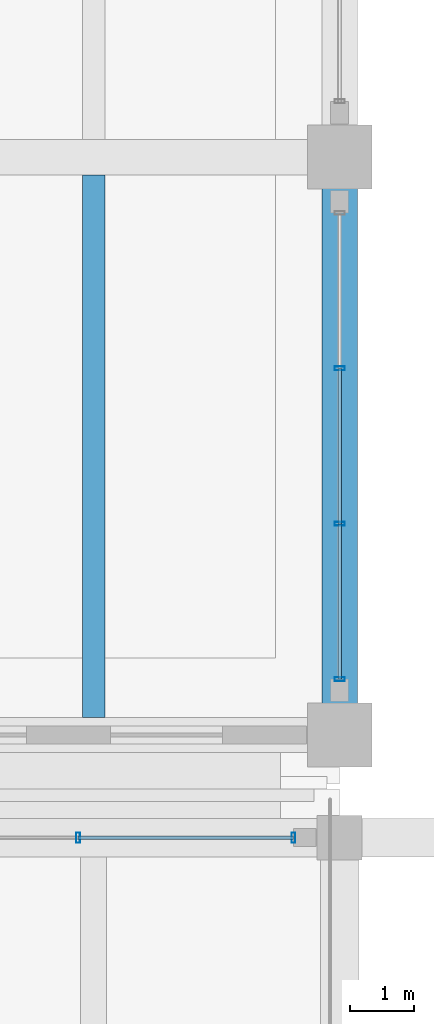
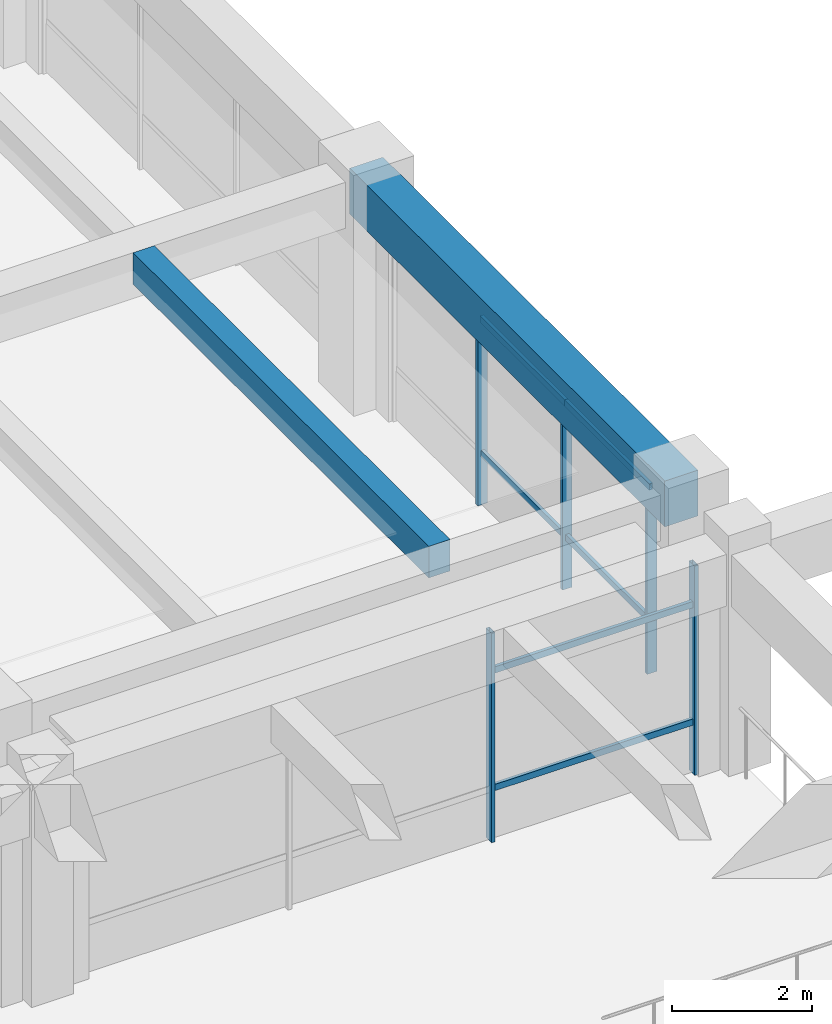
# One storey, part 31 of 98: 11 members, 2 beams, 2 elements without a shape of their own.
"""IFC4 building model written with IfcOpenShell, lengths in metres."""

from ifc_helpers import new_model, si_unit, direction, frame, origin, origin_2d, place, context, subcontext, project, spatial, rectangle, hollow_rectangle, extrude, material, material_profile, profile_set, type_object, element, aggregate, save


model = new_model("IFC4")

# Units and contexts
model_context = context("Model", 3, precision=1e-05, world=origin(), true_north=direction((0.0, 1.0)))
body_context = subcontext(model_context, "Body", "Model", "MODEL_VIEW")
ifc_project = project(units=[si_unit("LENGTHUNIT", "METRE"), si_unit("AREAUNIT", "SQUARE_METRE"), si_unit("VOLUMEUNIT", "CUBIC_METRE"), si_unit("PLANEANGLEUNIT", "RADIAN"), si_unit("MASSUNIT", "GRAM", prefix="KILO")], contexts=[model_context])

# Site, building, storey
site_placement = place(None, origin())
site = spatial("IfcSite", under=ifc_project, at=site_placement, CompositionType="ELEMENT")
building_placement = place(site_placement, origin())
building = spatial("IfcBuilding", under=site, at=building_placement, Name="Ologun Quay Terminus", CompositionType="ELEMENT")
storey_placement = place(building_placement, frame((0.0, 0.0, 4.199951171875)))
storey = spatial("IfcBuildingStorey", under=building, at=storey_placement, Name="L01", CompositionType="ELEMENT", Elevation=4.199951171875)

# Curtain wall, members
ifc_material_1 = material(Name="Aluminium 6063-T6", Category="aluminium")
curtain_wall_type_1 = type_object("IfcCurtainWallType", Name="Forecourt Mezzanine Curtain Wall 10700x3850", PredefinedType="USERDEFINED", material=ifc_material_1)
curtain_wall_1_placement = place(storey_placement, origin())
curtain_wall_1 = element("IfcCurtainWall", 1, at=curtain_wall_1_placement, inside=storey, type_object=curtain_wall_type_1, Name="CW-04 Curtain Wall CW-L01-089", ObjectType="UNITISED CURTAIN WALL", PredefinedType="USERDEFINED")
ifc_material_2 = material(Name="Aluminium 6063-T6", Category="aluminium")
ifc_material_profile_1 = material_profile(ifc_material_2, hollow_rectangle(XDim=0.06005859375, YDim=0.159912109375, WallThickness=0.00390625, at=origin_2d()), Name="ALU 160x60x4")
ifc_profile_set_1 = profile_set([ifc_material_profile_1], Name="Aluminium 6063-T6")
member_type_1 = type_object("IfcMemberType", Name="Courtyard Screen Mullion 160x65", PredefinedType="MULLION", material=ifc_profile_set_1)
member_1_placement = place(storey_placement, frame((64.9267578125, 84.199951171875, 0.0), z_axis=(0.0, 0.0, 1.0), x_axis=(1.0, 0.0, 0.0)))
member_1 = element("IfcMember", 2, at=member_1_placement, type_object=member_type_1, Name="CW-L01-089 Mullion 3", PredefinedType="MULLION", context=body_context, shape_type="SweptSolid", body=[
    extrude(hollow_rectangle(XDim=0.06005859375, YDim=0.159912109375, WallThickness=0.00390625, at=origin_2d()), origin(), (0.0, 0.0, 1.0), 3.650146484375),
])
member_2_placement = place(storey_placement, frame((68.280029296875, 84.199951171875, 0.0), z_axis=(0.0, 0.0, 1.0), x_axis=(1.0, 0.0, 0.0)))
member_2 = element("IfcMember", 3, at=member_2_placement, type_object=member_type_1, Name="CW-L01-089 Mullion 4", PredefinedType="MULLION", context=body_context, shape_type="SweptSolid", body=[
    extrude(hollow_rectangle(XDim=0.06005859375, YDim=0.159912109375, WallThickness=0.00390625, at=origin_2d()), origin(), (0.0, 0.0, 1.0), 3.650146484375),
])

ifc_material_3 = material(Name="Aluminium 6063-T6", Category="aluminium")
curtain_wall_type_2 = type_object("IfcCurtainWallType", Name="Rain-Garden West Courtyard Curtain Wall L01 8200x3850", PredefinedType="USERDEFINED", material=ifc_material_3)
curtain_wall_2_placement = place(storey_placement, origin())
curtain_wall_2 = element("IfcCurtainWall", 4, at=curtain_wall_2_placement, inside=storey, type_object=curtain_wall_type_2, Name="CW-14 Curtain Wall CW-L01-099", ObjectType="UNITISED CURTAIN WALL", PredefinedType="USERDEFINED")
member_3_placement = place(storey_placement, frame((69.0, 86.669921875, 0.0), z_axis=(0.0, 0.0, 1.0), x_axis=(0.0, 1.0, 0.0)))
member_3 = element("IfcMember", 5, at=member_3_placement, type_object=member_type_1, Name="CW-L01-099 Mullion 1", PredefinedType="MULLION", context=body_context, shape_type="SweptSolid", body=[
    extrude(hollow_rectangle(XDim=0.06005859375, YDim=0.159912109375, WallThickness=0.00390625, at=origin_2d()), origin(), (0.0, 0.0, 1.0), 3.929931640625),
])
member_4_placement = place(storey_placement, frame((69.0, 89.090087890625, 0.0), z_axis=(0.0, 0.0, 1.0), x_axis=(0.0, 1.0, 0.0)))
member_4 = element("IfcMember", 6, at=member_4_placement, type_object=member_type_1, Name="CW-L01-099 Mullion 2", PredefinedType="MULLION", context=body_context, shape_type="SweptSolid", body=[
    extrude(hollow_rectangle(XDim=0.06005859375, YDim=0.159912109375, WallThickness=0.00390625, at=origin_2d()), origin(), (0.0, 0.0, 1.0), 3.929931640625),
])
member_5_placement = place(storey_placement, frame((69.0, 91.510009765625, 0.0), z_axis=(0.0, 0.0, 1.0), x_axis=(0.0, 1.0, 0.0)))
member_5 = element("IfcMember", 7, at=member_5_placement, type_object=member_type_1, Name="CW-L01-099 Mullion 3", PredefinedType="MULLION", context=body_context, shape_type="SweptSolid", body=[
    extrude(hollow_rectangle(XDim=0.06005859375, YDim=0.159912109375, WallThickness=0.00390625, at=origin_2d()), origin(), (0.0, 0.0, 1.0), 3.929931640625),
])

# Member
ifc_material_4 = material(Name="Aluminium 6063-T6", Category="aluminium")
ifc_material_profile_2 = material_profile(ifc_material_4, hollow_rectangle(XDim=0.054931640625, YDim=0.110107421875, WallThickness=0.00390625, at=origin_2d()), Name="ALU 110x55x4")
ifc_profile_set_2 = profile_set([ifc_material_profile_2], Name="Aluminium 6063-T6")
member_type_2 = type_object("IfcMemberType", Name="Courtyard Screen Transom 110x55", PredefinedType="USERDEFINED", material=ifc_profile_set_2)
member_6_placement = place(storey_placement, frame((64.9267578125, 84.199951171875, 0.900146484375), z_axis=(1.0, 0.0, 0.0), x_axis=(0.0, 1.0, 0.0)))
member_6 = element("IfcMember", 8, at=member_6_placement, type_object=member_type_2, Name="CW-L01-089 Transom B3-1", ObjectType="TRANSOM", PredefinedType="USERDEFINED", context=body_context, shape_type="SweptSolid", body=[
    extrude(hollow_rectangle(XDim=0.054931640625, YDim=0.110107421875, WallThickness=0.00390625, at=origin_2d()), origin(), (0.0, 0.0, 1.0), 3.353271484375),
])

member_7_placement = place(storey_placement, frame((64.9267578125, 84.199951171875, 2.949951171875), z_axis=(1.0, 0.0, 0.0), x_axis=(0.0, 1.0, 0.0)))
member_7 = element("IfcMember", 9, at=member_7_placement, type_object=member_type_2, Name="CW-L01-089 Transom B3-2", ObjectType="TRANSOM", PredefinedType="USERDEFINED", context=body_context, shape_type="SweptSolid", body=[
    extrude(hollow_rectangle(XDim=0.054931640625, YDim=0.110107421875, WallThickness=0.00390625, at=origin_2d()), origin(), (0.0, 0.0, 1.0), 3.353271484375),
])

aggregate(curtain_wall_1, [member_1, member_2, member_6, member_7])

member_8_placement = place(storey_placement, frame((69.0, 86.669921875, 0.900146484375), z_axis=(0.0, 1.0, 0.0), x_axis=(-1.0, 0.0, 0.0)))
member_8 = element("IfcMember", 10, at=member_8_placement, type_object=member_type_2, Name="CW-L01-099 Transom B1-1", ObjectType="TRANSOM", PredefinedType="USERDEFINED", context=body_context, shape_type="SweptSolid", body=[
    extrude(hollow_rectangle(XDim=0.054931640625, YDim=0.110107421875, WallThickness=0.00390625, at=origin_2d()), origin(), (0.0, 0.0, 1.0), 2.420166015625),
])

member_9_placement = place(storey_placement, frame((69.0, 86.669921875, 3.22998046875), z_axis=(0.0, 1.0, 0.0), x_axis=(-1.0, 0.0, 0.0)))
member_9 = element("IfcMember", 11, at=member_9_placement, type_object=member_type_2, Name="CW-L01-099 Transom B1-2", ObjectType="TRANSOM", PredefinedType="USERDEFINED", context=body_context, shape_type="SweptSolid", body=[
    extrude(hollow_rectangle(XDim=0.054931640625, YDim=0.110107421875, WallThickness=0.00390625, at=origin_2d()), origin(), (0.0, 0.0, 1.0), 2.420166015625),
])

member_10_placement = place(storey_placement, frame((69.0, 89.090087890625, 0.900146484375), z_axis=(0.0, 1.0, 0.0), x_axis=(-1.0, 0.0, 0.0)))
member_10 = element("IfcMember", 12, at=member_10_placement, type_object=member_type_2, Name="CW-L01-099 Transom B2-1", ObjectType="TRANSOM", PredefinedType="USERDEFINED", context=body_context, shape_type="SweptSolid", body=[
    extrude(hollow_rectangle(XDim=0.054931640625, YDim=0.110107421875, WallThickness=0.00390625, at=origin_2d()), origin(), (0.0, 0.0, 1.0), 2.419921875),
])

member_11_placement = place(storey_placement, frame((69.0, 89.090087890625, 3.22998046875), z_axis=(0.0, 1.0, 0.0), x_axis=(-1.0, 0.0, 0.0)))
member_11 = element("IfcMember", 13, at=member_11_placement, type_object=member_type_2, Name="CW-L01-099 Transom B2-2", ObjectType="TRANSOM", PredefinedType="USERDEFINED", context=body_context, shape_type="SweptSolid", body=[
    extrude(hollow_rectangle(XDim=0.054931640625, YDim=0.110107421875, WallThickness=0.00390625, at=origin_2d()), origin(), (0.0, 0.0, 1.0), 2.419921875),
])

aggregate(curtain_wall_2, [member_3, member_4, member_5, member_8, member_9, member_10, member_11])

# Beams
ifc_material_5 = material(Name="Concrete C40/50", Category="concrete")
ifc_material_profile_3 = material_profile(ifc_material_5, rectangle(XDim=0.550048828125, YDim=0.800048828125, at=origin_2d()), Name="RC 550x800")
ifc_profile_set_3 = profile_set([ifc_material_profile_3], Name="Concrete C40/50")
beam_type_1 = type_object("IfcBeamType", Name="Courtyard Wing Primary Girder 550x800", PredefinedType="BEAM", material=ifc_profile_set_3)
beam_1_placement = place(storey_placement, frame((69.0, 85.800048828125, 3.550048828125), z_axis=(0.0, 1.0, 0.0), x_axis=(-1.0, 0.0, 0.0)))
element("IfcBeam", 14, at=beam_1_placement, inside=storey, type_object=beam_type_1, Name="B4 Beam 7/G2 L01", PredefinedType="BEAM", context=body_context, shape_type="SweptSolid", body=[
    extrude(rectangle(XDim=0.550048828125, YDim=0.800048828125, at=origin_2d()), origin(), (0.0, 0.0, 1.0), 9.0),
])
ifc_material_6 = material(Name="Concrete C40/50", Category="concrete")
ifc_material_profile_4 = material_profile(ifc_material_6, rectangle(XDim=0.35009765625, YDim=0.550048828125, at=origin_2d()), Name="RC 350x550")
ifc_profile_set_4 = profile_set([ifc_material_profile_4], Name="Concrete C40/50")
beam_type_2 = type_object("IfcBeamType", Name="Courtyard Wing Secondary Joist 350x550", PredefinedType="JOIST", material=ifc_profile_set_4)
beam_2_placement = place(storey_placement, frame((65.166748046875, 86.074951171875, 3.675048828125), z_axis=(0.0, 1.0, 0.0), x_axis=(-1.0, 0.0, 0.0)))
element("IfcBeam", 15, at=beam_2_placement, inside=storey, type_object=beam_type_2, Name="J2 Beam 6/G2 L01", PredefinedType="JOIST", context=body_context, shape_type="SweptSolid", body=[
    extrude(rectangle(XDim=0.35009765625, YDim=0.550048828125, at=origin_2d()), origin(), (0.0, 0.0, 1.0), 8.449951171875),
])

save(model, "model.ifc")
